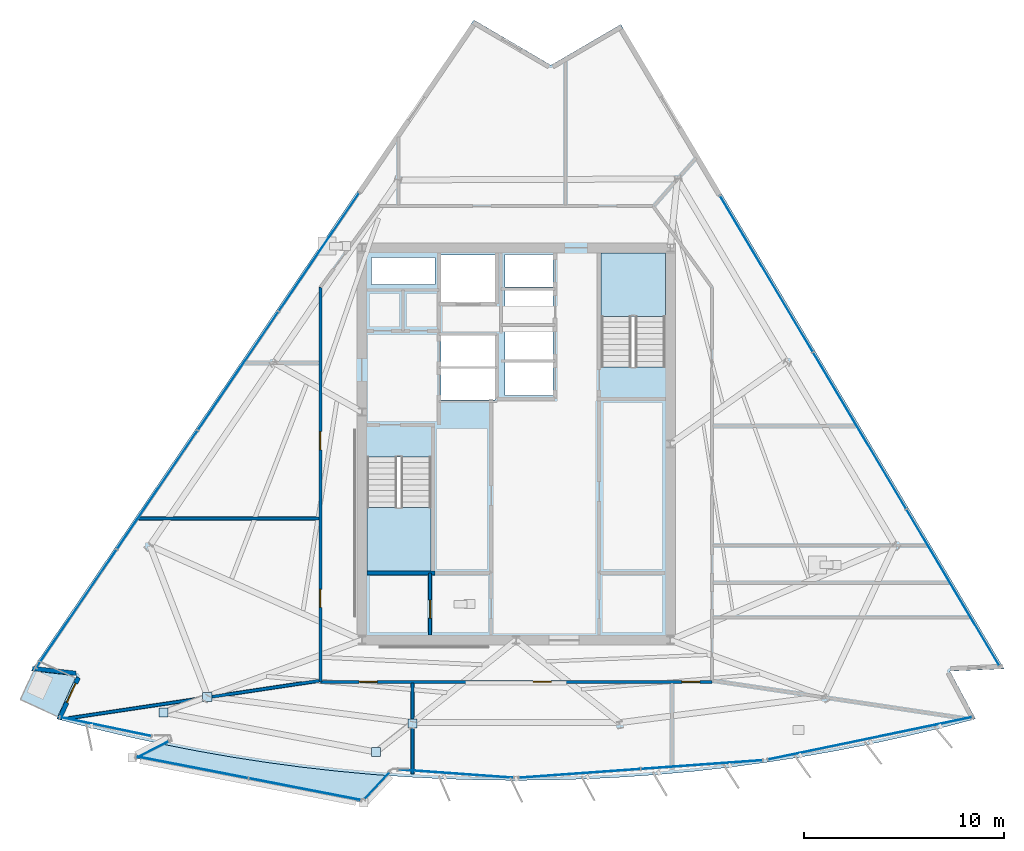
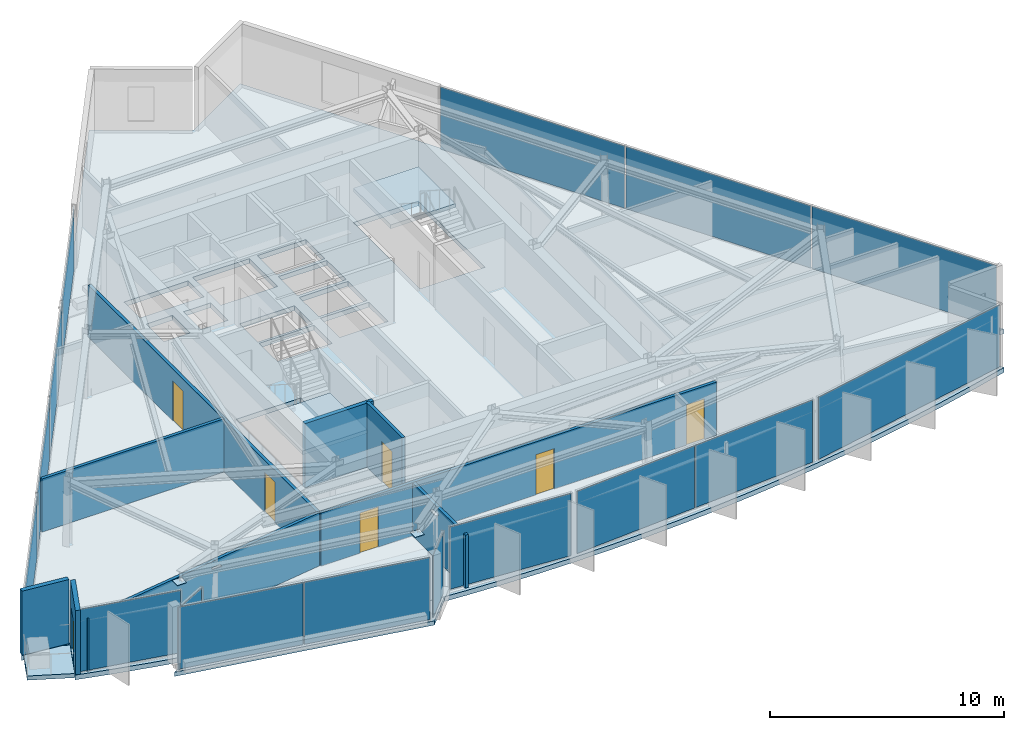
# One storey, part 6 of 13: 20 plates, 9 walls, 7 doors, 5 slabs, 7 openings, 11 elements without a shape of their own.
"""IFC4 building model written with IfcOpenShell, lengths in metres."""

import ifcopenshell
import ifcopenshell.guid

model = None  # the IFC model being written
_history = None  # IfcOwnerHistory: only IFC2X3 demands one
_inside = {}  # id of a spatial element -> (the spatial element, [elements in it])
_under = {}  # id of a project, library or spatial element -> (it, [spatial elements below it])
_declared = {}  # id of a project -> (the project, [libraries it declares])
_typed = {}  # id of a type object -> (the type object, [elements of that type])
_made_of = {}  # id of a material, layer set ... -> (it, [elements and type objects made of it])


def new_model(schema):
    """Start an empty IFC model of exactly this schema.

    Asked for "IFC4X3", IfcOpenShell would pick the latest addendum, in which some entities
    have other attributes; the version numbers below select the first issue.
    IFC2X3 requires an IfcOwnerHistory on every rooted entity: one is made here for all.
    """
    global model, _history
    if schema == "IFC4X3":
        model = ifcopenshell.file(schema_version=(4, 3, 0, 0))
    else:
        model = ifcopenshell.file(schema=schema)
    _inside.clear()
    _under.clear()
    _declared.clear()
    _typed.clear()
    _made_of.clear()
    _history = None
    if model.schema == "IFC2X3":
        org = make("IfcOrganization", Name="unknown")
        user = make(
            "IfcPersonAndOrganization",
            ThePerson=make("IfcPerson", FamilyName="unknown"),
            TheOrganization=org,
        )
        app = make(
            "IfcApplication",
            ApplicationDeveloper=org,
            Version="unknown",
            ApplicationFullName="unknown",
            ApplicationIdentifier="unknown",
        )
        _history = make(
            "IfcOwnerHistory",
            OwningUser=user,
            OwningApplication=app,
            ChangeAction="ADDED",
            CreationDate=0,
        )
    return model


def make(cls, **values):
    """One entity of the class cls with the attributes given. An attribute that is None is left unset."""
    return model.create_entity(
        cls, **{name: value for name, value in values.items() if value is not None}
    )


def rooted(cls, **values):
    """An entity with a GlobalId (a new one), such as an element, a storey or a relation."""
    return make(cls, GlobalId=ifcopenshell.guid.new(), OwnerHistory=_history, **values)


def si_unit(unit_type, name, prefix=None):
    """IfcSIUnit, for example si_unit("LENGTHUNIT", "METRE", prefix="MILLI")."""
    return make("IfcSIUnit", UnitType=unit_type, Prefix=prefix, Name=name)


def assignment(units):
    """IfcUnitAssignment: the units of a project."""
    return None if units is None else make("IfcUnitAssignment", Units=units)


def point(xyz):
    """IfcCartesianPoint."""
    return None if xyz is None else make("IfcCartesianPoint", Coordinates=xyz)


def direction(xyz):
    """IfcDirection."""
    return None if xyz is None else make("IfcDirection", DirectionRatios=xyz)


def frame(location, z_axis=None, x_axis=None):
    """IfcAxis2Placement3D, a coordinate frame: its origin and axes. An axis left out is left unset."""
    return make(
        "IfcAxis2Placement3D",
        Location=point(location),
        Axis=direction(z_axis),
        RefDirection=direction(x_axis),
    )


def frame_2d(location, x_axis=None):
    """IfcAxis2Placement2D, a coordinate frame in the plane: its origin and x axis."""
    return make(
        "IfcAxis2Placement2D", Location=point(location), RefDirection=direction(x_axis)
    )


def origin():
    """The frame at (0, 0, 0) with its axes left unset."""
    return frame((0.0, 0.0, 0.0))


def origin_2d():
    """The frame at (0, 0) in the plane with its x axis left unset."""
    return frame_2d((0.0, 0.0))


def place(relative_to, where):
    """IfcLocalPlacement: puts the frame where relative to a parent placement (None: the world)."""
    return make(
        "IfcLocalPlacement", PlacementRelTo=relative_to, RelativePlacement=where
    )


def context(
    kind, dimensions, precision=None, world=None, true_north=None, identifier=None
):
    """IfcGeometricRepresentationContext, for example the 3D "Model" context."""
    return make(
        "IfcGeometricRepresentationContext",
        ContextIdentifier=identifier,
        ContextType=kind,
        CoordinateSpaceDimension=dimensions,
        Precision=precision,
        WorldCoordinateSystem=world,
        TrueNorth=true_north,
    )


def subcontext(parent, identifier, kind, view, scale=None):
    """IfcGeometricRepresentationSubContext, for example "Body" below "Model"."""
    return make(
        "IfcGeometricRepresentationSubContext",
        ContextIdentifier=identifier,
        ContextType=kind,
        ParentContext=parent,
        TargetScale=scale,
        TargetView=view,
    )


def project(units=None, contexts=None):
    """IfcProject with its units and contexts."""
    return rooted(
        "IfcProject",
        Name="project",
        RepresentationContexts=contexts,
        UnitsInContext=assignment(units),
    )


def spatial(cls, under=None, at=None, **own):
    """A site, building, storey or space (cls), placed at a placement, below another one or the project."""
    s = rooted(cls, ObjectPlacement=at, **own)
    if under is not None:
        _under.setdefault(under.id(), (under, []))[1].append(s)
    return s


def polyline(points):
    """IfcPolyline through the points."""
    return make("IfcPolyline", Points=[point(p) for p in points])


def profile(cls, at=None, kind="AREA", **sizes):
    """A parametric profile (cls). Its sizes go by their IFC names, for example OverallWidth=200.0."""
    return make(cls, ProfileType=kind, Position=at, **sizes)


def rectangle(**sizes):
    """IfcRectangleProfileDef."""
    return profile("IfcRectangleProfileDef", **sizes)


def outline(outer, holes=None, kind="AREA"):
    """IfcArbitraryClosedProfileDef: a profile drawn as a closed curve; with holes, ...WithVoids."""
    if holes is None:
        return make("IfcArbitraryClosedProfileDef", ProfileType=kind, OuterCurve=outer)
    return make(
        "IfcArbitraryProfileDefWithVoids",
        ProfileType=kind,
        OuterCurve=outer,
        InnerCurves=holes,
    )


def extrude(swept, where, along, depth):
    """IfcExtrudedAreaSolid: the profile swept, set in the frame where, extruded along a direction by depth."""
    return make(
        "IfcExtrudedAreaSolid",
        SweptArea=swept,
        Position=where,
        ExtrudedDirection=direction(along),
        Depth=depth,
    )


def shape(context_of_items, identifier, shape_type, items):
    """IfcShapeRepresentation: the items that make up one representation, for example the "Body"."""
    return make(
        "IfcShapeRepresentation",
        ContextOfItems=context_of_items,
        RepresentationIdentifier=identifier,
        RepresentationType=shape_type,
        Items=items,
    )


def material(Name=None, Category=None):
    """IfcMaterial."""
    return make("IfcMaterial", Name=Name, Category=Category)


def layer(
    of_material, thickness, ventilated=None, Name=None, Category=None, Priority=None
):
    """IfcMaterialLayer: one layer of a wall or slab, of a material (None: an air gap)."""
    return make(
        "IfcMaterialLayer",
        Material=of_material,
        LayerThickness=thickness,
        IsVentilated=ventilated,
        Name=Name,
        Category=Category,
        Priority=Priority,
    )


def layer_set(layers, Name=None):
    """IfcMaterialLayerSet."""
    return make("IfcMaterialLayerSet", MaterialLayers=layers, LayerSetName=Name)


def made_of(thing, what):
    """Note that an element or type object is made of a material, layer set ...; save() writes the relation."""
    if what is not None:
        _made_of.setdefault(what.id(), (what, []))[1].append(thing)
    return thing


def type_object(cls, material=None, **own):
    """A type object (cls), such as IfcWallType, which elements share."""
    return made_of(rooted(cls, **own), material)


def element(
    cls,
    number,
    at=None,
    inside=None,
    cuts=None,
    type_object=None,
    material=None,
    context=None,
    identifier="Body",
    shape_type=None,
    held_by="IfcProductDefinitionShape",
    body=None,
    shapes=None,
    **own,
):
    """One element of the class cls, such as IfcWall. Its Tag is "e" and its number.

    at: its placement. inside: the storey or other place that contains it. cuts: it is an
    opening in that element (IfcRelVoidsElement). A single representation is given by context,
    identifier, shape_type and body (its items); several are given by shapes. held_by: the class
    of the entity that holds the representations. save() writes the other relations.
    """
    e = rooted(cls, Tag="e%d" % number, ObjectPlacement=at, **own)
    if body is not None:
        shapes = [shape(context, identifier, shape_type, body)]
    if shapes is not None:
        e.Representation = make(held_by, Representations=shapes)
    if inside is not None:
        _inside.setdefault(inside.id(), (inside, []))[1].append(e)
    if cuts is not None:
        rooted(
            "IfcRelVoidsElement", RelatingBuildingElement=cuts, RelatedOpeningElement=e
        )
    if type_object is not None:
        _typed.setdefault(type_object.id(), (type_object, []))[1].append(e)
    return made_of(e, material)


def fill(opening, filler):
    """IfcRelFillsElement: the door or window that sits in an opening."""
    return rooted(
        "IfcRelFillsElement",
        RelatingOpeningElement=opening,
        RelatedBuildingElement=filler,
    )


def aggregate(whole, parts):
    """IfcRelAggregates: a whole, such as a stair, and the parts it consists of."""
    return rooted("IfcRelAggregates", RelatingObject=whole, RelatedObjects=parts)


def save(model, path):
    """Write the relations noted so far, then the file.

    IfcRelAggregates (storeys below a building ...), IfcRelContainedInSpatialStructure (elements
    in a storey), IfcRelDefinesByType, IfcRelAssociatesMaterial and IfcRelDeclares: one each for
    every whole, place, type object, material and project.
    """
    for whole, parts in _under.values():
        aggregate(whole, parts)
    for where, things in _inside.values():
        rooted(
            "IfcRelContainedInSpatialStructure",
            RelatedElements=things,
            RelatingStructure=where,
        )
    for kind, things in _typed.values():
        rooted("IfcRelDefinesByType", RelatedObjects=things, RelatingType=kind)
    for what, things in _made_of.values():
        rooted("IfcRelAssociatesMaterial", RelatedObjects=things, RelatingMaterial=what)
    for by, libraries in _declared.values():
        rooted("IfcRelDeclares", RelatingContext=by, RelatedDefinitions=libraries)
    model.write(path)


model = new_model("IFC4")

# Units and contexts
model_context = context("Model", 3, precision=1e-05, world=origin(), true_north=direction((0.0, 1.0)))
body_context = subcontext(model_context, "Body", "Model", "MODEL_VIEW")
ifc_project = project(units=[si_unit("LENGTHUNIT", "METRE"), si_unit("AREAUNIT", "SQUARE_METRE"), si_unit("VOLUMEUNIT", "CUBIC_METRE"), si_unit("PLANEANGLEUNIT", "RADIAN"), si_unit("MASSUNIT", "GRAM", prefix="KILO")], contexts=[model_context])

# Site, building, storey
site_placement = place(None, origin())
site = spatial("IfcSite", under=ifc_project, at=site_placement, CompositionType="ELEMENT")
building_placement = place(site_placement, origin())
building = spatial("IfcBuilding", under=site, at=building_placement, Name="Savorim Split Tower", CompositionType="ELEMENT")
storey_placement = place(building_placement, frame((0.0, 0.0, 272.39990234375)))
storey = spatial("IfcBuildingStorey", under=building, at=storey_placement, Name="L72", CompositionType="ELEMENT", Elevation=272.39990234375)

# Curtain wall, plate
ifc_material_1 = material(Name="Dark Ceramic-Fritted Insulated Glass", Category="glass")
curtain_wall_type_1 = type_object("IfcCurtainWallType", Name="CW-TWR-FRIT-B", PredefinedType="NOTDEFINED", material=ifc_material_1)
curtain_wall_1_placement = place(storey_placement, origin())
curtain_wall_1 = element("IfcCurtainWall", 1, at=curtain_wall_1_placement, inside=storey, type_object=curtain_wall_type_1, Name="L72 Curtain Wall CW-L72-SF1A", PredefinedType="NOTDEFINED")
ifc_layer_1 = layer(ifc_material_1, 0.02587890625)
ifc_layer_set_1 = layer_set([ifc_layer_1], Name="CWP-FRITB-26")
plate_type_1 = type_object("IfcPlateType", Name="CWP-FRITB-26", PredefinedType="CURTAIN_PANEL", material=ifc_layer_set_1)
plate_1_placement = place(storey_placement, frame((-20.5029296875, -13.717529296875, 0.050048828125), z_axis=(0.0, 0.0, 1.0), x_axis=(0.979135895435, -0.203206540915, 0.0)))
plate_1 = element("IfcPlate", 2, at=plate_1_placement, type_object=plate_type_1, Name="CW-03 panel 1.1", PredefinedType="CURTAIN_PANEL", context=body_context, shape_type="SweptSolid", body=[
    extrude(rectangle(XDim=4.623046875, YDim=0.02587890625, at=origin_2d()), origin(), (0.0, 0.0, 1.0), 3.25),
])
aggregate(curtain_wall_1, [plate_1])

curtain_wall_2_placement = place(storey_placement, origin())
curtain_wall_2 = element("IfcCurtainWall", 3, at=curtain_wall_2_placement, inside=storey, type_object=curtain_wall_type_1, Name="L72 Curtain Wall CW-L72-SF2A", PredefinedType="NOTDEFINED")
plate_2_placement = place(storey_placement, frame((-3.019287109375, -16.06640625, 0.050048828125), z_axis=(0.0, 0.0, 1.0), x_axis=(0.997435475677, -0.071571445854, 0.0)))
plate_2 = element("IfcPlate", 4, at=plate_2_placement, type_object=plate_type_1, Name="CW-03 panel 1.1", PredefinedType="CURTAIN_PANEL", context=body_context, shape_type="SweptSolid", body=[
    extrude(rectangle(XDim=5.7509765625, YDim=0.02587890625, at=origin_2d()), origin(), (0.0, 0.0, 1.0), 3.25),
])
aggregate(curtain_wall_2, [plate_2])

# Curtain wall, plates
curtain_wall_3_placement = place(storey_placement, origin())
curtain_wall_3 = element("IfcCurtainWall", 5, at=curtain_wall_3_placement, inside=storey, type_object=curtain_wall_type_1, Name="L72 Curtain Wall CW-L72-SF3A", PredefinedType="NOTDEFINED")
plate_3_placement = place(storey_placement, frame((3.17138671875, -16.055419921875, 0.050048828125), z_axis=(0.0, 0.0, 1.0), x_axis=(0.997435978432, 0.071564439004, 0.0)))
plate_3 = element("IfcPlate", 6, at=plate_3_placement, type_object=plate_type_1, Name="CW-03 panel 1.1", PredefinedType="CURTAIN_PANEL", context=body_context, shape_type="SweptSolid", body=[
    extrude(rectangle(XDim=6.05615234375, YDim=0.02587890625, at=origin_2d()), origin(), (0.0, 0.0, 1.0), 3.25),
])
plate_4_placement = place(storey_placement, frame((9.27197265625, -15.61767578125, 0.050048828125), z_axis=(0.0, 0.0, 1.0), x_axis=(0.997435978432, 0.071564439004, 0.0)))
plate_4 = element("IfcPlate", 7, at=plate_4_placement, type_object=plate_type_1, Name="CW-03 panel 2.1", PredefinedType="CURTAIN_PANEL", context=body_context, shape_type="SweptSolid", body=[
    extrude(rectangle(XDim=6.05615234375, YDim=0.02587890625, at=origin_2d()), origin(), (0.0, 0.0, 1.0), 3.25),
])
aggregate(curtain_wall_3, [plate_3, plate_4])

# Curtain wall, plate
curtain_wall_4_placement = place(storey_placement, origin())
curtain_wall_4 = element("IfcCurtainWall", 8, at=curtain_wall_4_placement, inside=storey, type_object=curtain_wall_type_1, Name="L72 Curtain Wall CW-L72-SF4A", PredefinedType="NOTDEFINED")
plate_5_placement = place(storey_placement, frame((17.679443359375, -14.303466796875, 0.050048828125), z_axis=(0.0, 0.0, 1.0), x_axis=(0.979135123364, 0.20321026105, 0.0)))
plate_5 = element("IfcPlate", 9, at=plate_5_placement, type_object=plate_type_1, Name="CW-03 panel 1.1", PredefinedType="CURTAIN_PANEL", context=body_context, shape_type="SweptSolid", body=[
    extrude(rectangle(XDim=10.390380859375, YDim=0.02587890625, at=origin_2d()), origin(), (0.0, 0.0, 1.0), 3.25),
])
aggregate(curtain_wall_4, [plate_5])

# Curtain wall, plates
curtain_wall_5_placement = place(storey_placement, origin())
curtain_wall_5 = element("IfcCurtainWall", 10, at=curtain_wall_5_placement, inside=storey, type_object=curtain_wall_type_1, Name="L72 Curtain Wall CW-L72-EAST", PredefinedType="NOTDEFINED")
plate_6_placement = place(storey_placement, frame((21.8134765625, -6.76904296875, 0.050048828125), z_axis=(0.0, 0.0, 1.0), x_axis=(-0.511090267573, 0.859527043432, 0.0)))
plate_6 = element("IfcPlate", 11, at=plate_6_placement, type_object=plate_type_1, Name="CW-03 panel 1.1", PredefinedType="CURTAIN_PANEL", context=body_context, shape_type="SweptSolid", body=[
    extrude(rectangle(XDim=9.0380859375, YDim=0.02587890625, at=origin_2d()), origin(), (0.0, 0.0, 1.0), 3.25),
])
plate_7_placement = place(storey_placement, frame((17.15576171875, 1.064208984375, 0.050048828125), z_axis=(0.0, 0.0, 1.0), x_axis=(-0.511090267573, 0.859527043432, 0.0)))
plate_7 = element("IfcPlate", 12, at=plate_7_placement, type_object=plate_type_1, Name="CW-03 panel 2.1", PredefinedType="CURTAIN_PANEL", context=body_context, shape_type="SweptSolid", body=[
    extrude(rectangle(XDim=9.068115234375, YDim=0.02587890625, at=origin_2d()), origin(), (0.0, 0.0, 1.0), 3.25),
])
plate_8_placement = place(storey_placement, frame((12.498046875, 8.897216796875, 0.050048828125), z_axis=(0.0, 0.0, 1.0), x_axis=(-0.511090267573, 0.859527043432, 0.0)))
plate_8 = element("IfcPlate", 13, at=plate_8_placement, type_object=plate_type_1, Name="CW-03 panel 3.1", PredefinedType="CURTAIN_PANEL", context=body_context, shape_type="SweptSolid", body=[
    extrude(rectangle(XDim=9.0380859375, YDim=0.02587890625, at=origin_2d()), origin(), (0.0, 0.0, 1.0), 3.25),
])
aggregate(curtain_wall_5, [plate_6, plate_7, plate_8])

curtain_wall_6_placement = place(storey_placement, origin())
curtain_wall_6 = element("IfcCurtainWall", 14, at=curtain_wall_6_placement, inside=storey, type_object=curtain_wall_type_1, Name="L72 Curtain Wall CW-L72-WEST", PredefinedType="NOTDEFINED")
plate_9_placement = place(storey_placement, frame((-9.847900390625, 9.9853515625, 0.050048828125), z_axis=(0.0, 0.0, 1.0), x_axis=(-0.562470325215, -0.826817472755, 0.0)))
plate_9 = element("IfcPlate", 15, at=plate_9_placement, type_object=plate_type_1, Name="CW-03 panel 1.1", PredefinedType="CURTAIN_PANEL", context=body_context, shape_type="SweptSolid", body=[
    extrude(rectangle(XDim=7.1015625, YDim=0.02587890625, at=origin_2d()), origin(), (0.0, 0.0, 1.0), 3.25),
])
plate_10_placement = place(storey_placement, frame((-13.884521484375, 4.0517578125, 0.050048828125), z_axis=(0.0, 0.0, 1.0), x_axis=(-0.562470325215, -0.826817472755, 0.0)))
plate_10 = element("IfcPlate", 16, at=plate_10_placement, type_object=plate_type_1, Name="CW-03 panel 2.1", PredefinedType="CURTAIN_PANEL", context=body_context, shape_type="SweptSolid", body=[
    extrude(rectangle(XDim=7.131591796875, YDim=0.02587890625, at=origin_2d()), origin(), (0.0, 0.0, 1.0), 3.25),
])
plate_11_placement = place(storey_placement, frame((-17.929443359375, -1.894287109375, 0.050048828125), z_axis=(0.0, 0.0, 1.0), x_axis=(-0.562470325215, -0.826817472755, 0.0)))
plate_11 = element("IfcPlate", 17, at=plate_11_placement, type_object=plate_type_1, Name="CW-03 panel 3.1", PredefinedType="CURTAIN_PANEL", context=body_context, shape_type="SweptSolid", body=[
    extrude(rectangle(XDim=7.131591796875, YDim=0.02587890625, at=origin_2d()), origin(), (0.0, 0.0, 1.0), 3.25),
])
plate_12_placement = place(storey_placement, frame((-21.966064453125, -7.827880859375, 0.050048828125), z_axis=(0.0, 0.0, 1.0), x_axis=(-0.562470325215, -0.826817472755, 0.0)))
plate_12 = element("IfcPlate", 18, at=plate_12_placement, type_object=plate_type_1, Name="CW-03 panel 4.1", PredefinedType="CURTAIN_PANEL", context=body_context, shape_type="SweptSolid", body=[
    extrude(rectangle(XDim=7.1015625, YDim=0.02587890625, at=origin_2d()), origin(), (0.0, 0.0, 1.0), 3.25),
])
aggregate(curtain_wall_6, [plate_9, plate_10, plate_11, plate_12])

curtain_wall_type_2 = type_object("IfcCurtainWallType", Name="CW-BAY-LOUNGE", PredefinedType="NOTDEFINED", material=ifc_material_1)
curtain_wall_7_placement = place(storey_placement, origin())
curtain_wall_7 = element("IfcCurtainWall", 19, at=curtain_wall_7_placement, inside=storey, type_object=curtain_wall_type_2, Name="L72 Curtain Wall CW-L72-BAYF", PredefinedType="NOTDEFINED")
ifc_material_2 = material(Name="Low-E Operable Double Glazing", Category="glass")
ifc_layer_2 = layer(ifc_material_2, 0.031982421875)
ifc_layer_set_2 = layer_set([ifc_layer_2], Name="CWP-POD-32")
plate_type_2 = type_object("IfcPlateType", Name="CWP-POD-32", PredefinedType="CURTAIN_PANEL", material=ifc_layer_set_2)
plate_13_placement = place(storey_placement, frame((-16.18408203125, -15.7509765625, 0.05517578125), z_axis=(0.0, 0.0, 1.0), x_axis=(0.98168331682, -0.190519987082, 0.0)))
plate_13 = element("IfcPlate", 20, at=plate_13_placement, type_object=plate_type_2, Name="CW-04 panel 1.1", PredefinedType="CURTAIN_PANEL", context=body_context, shape_type="SweptSolid", body=[
    extrude(rectangle(XDim=5.67041015625, YDim=0.031982421875, at=origin_2d()), origin(), (0.0, 0.0, 1.0), 3.239990234375),
])
plate_14_placement = place(storey_placement, frame((-10.5537109375, -16.84375, 0.05517578125), z_axis=(0.0, 0.0, 1.0), x_axis=(0.98168331682, -0.190519987082, 0.0)))
plate_14 = element("IfcPlate", 21, at=plate_14_placement, type_object=plate_type_2, Name="CW-04 panel 2.1", PredefinedType="CURTAIN_PANEL", context=body_context, shape_type="SweptSolid", body=[
    extrude(rectangle(XDim=5.67041015625, YDim=0.031982421875, at=origin_2d()), origin(), (0.0, 0.0, 1.0), 3.239990234375),
])
aggregate(curtain_wall_7, [plate_13, plate_14])

# Curtain wall, plate
curtain_wall_8_placement = place(storey_placement, origin())
curtain_wall_8 = element("IfcCurtainWall", 22, at=curtain_wall_8_placement, inside=storey, type_object=curtain_wall_type_2, Name="L72 Curtain Wall CW-L72-BAYW", PredefinedType="NOTDEFINED")
plate_15_placement = place(storey_placement, frame((-18.170166015625, -14.875, 0.05517578125), z_axis=(0.0, 0.0, 1.0), x_axis=(-0.890065809413, -0.455832046827, 0.0)))
plate_15 = element("IfcPlate", 23, at=plate_15_placement, type_object=plate_type_2, Name="CW-04 panel 1.1", PredefinedType="CURTAIN_PANEL", context=body_context, shape_type="SweptSolid", body=[
    extrude(rectangle(XDim=1.81005859375, YDim=0.031982421875, at=origin_2d()), origin(), (0.0, 0.0, 1.0), 3.239990234375),
])
aggregate(curtain_wall_8, [plate_15])

curtain_wall_9_placement = place(storey_placement, origin())
curtain_wall_9 = element("IfcCurtainWall", 24, at=curtain_wall_9_placement, inside=storey, type_object=curtain_wall_type_2, Name="L72 Curtain Wall CW-L72-BAYE", PredefinedType="NOTDEFINED")
plate_16_placement = place(storey_placement, frame((-6.948974609375, -16.668212890625, 0.05517578125), z_axis=(0.0, 0.0, 1.0), x_axis=(0.6838502497, 0.729622392738, 0.0)))
plate_16 = element("IfcPlate", 25, at=plate_16_placement, type_object=plate_type_2, Name="CW-04 panel 1.1", PredefinedType="CURTAIN_PANEL", context=body_context, shape_type="SweptSolid", body=[
    extrude(rectangle(XDim=1.81005859375, YDim=0.031982421875, at=origin_2d()), origin(), (0.0, 0.0, 1.0), 3.239990234375),
])
aggregate(curtain_wall_9, [plate_16])

# Plates
ifc_material_3 = material(Name="Steel S460", Category="steel")
ifc_layer_3 = layer(ifc_material_3, 0.02490234375)
ifc_layer_set_3 = layer_set([ifc_layer_3], Name="PLT-NODE-CN1")
plate_type_3 = type_object("IfcPlateType", Name="PLT-NODE-CN1", PredefinedType="SHEET", material=ifc_layer_set_3)
for number, where, z_axis, x_axis, name in (
    (26, (-15.43310546875, -12.244873046875, 2.437744140625), (0.0, 0.0, 1.0), (1.0, 0.0, 0.0), "L72 Bay Strut Column Gusset Plate 1"),
    (27, (-17.61767578125, -13.010498046875, 2.8076171875), (0.0, 0.0, 1.0), (1.0, 0.0, 0.0), "L72 Bay Strut Tip Gusset Plate 1"),
    (28, (-5.17236328125, -13.562255859375, 2.437744140625), (0.0, 0.0, 1.0), (1.0, 0.0, 0.0), "L72 Bay Strut Column Gusset Plate 2"),
    (29, (-7.001220703125, -14.98779296875, 2.8076171875), (0.0, 0.0, 1.0), (1.0, 0.0, 0.0), "L72 Bay Strut Tip Gusset Plate 2"),
):
    element("IfcPlate", number, at=place(storey_placement, frame(where, z_axis=z_axis, x_axis=x_axis)), inside=storey, type_object=plate_type_3, Name=name, PredefinedType="SHEET", context=body_context, shape_type="SweptSolid", body=[
        extrude(rectangle(XDim=0.4599609375, YDim=0.4599609375, at=origin_2d()), origin(), (0.0, 0.0, 1.0), 0.02490234375),
    ])

# Slabs
ifc_material_4 = material(Name="Concrete C50/60", Category="concrete")
ifc_layer_4 = layer(ifc_material_4, 0.219970703125)
ifc_layer_set_4 = layer_set([ifc_layer_4], Name="SLB-BAL-220")
slab_type_1 = type_object("IfcSlabType", Name="SLB-BAL-220", PredefinedType="FLOOR", material=ifc_layer_set_4)
slab_1_placement = place(storey_placement, frame((0.0, 0.0, -0.219970703125)))
element("IfcSlab", 30, at=slab_1_placement, inside=storey, type_object=slab_type_1, Name="L72 Cantilevered Shared Kitchen Lounge Slab", PredefinedType="FLOOR", context=body_context, shape_type="SweptSolid", body=[
    extrude(outline(polyline([(-6.343017578125, -16.16796875), (-7.13671875, -16.111083984375), (-8.915283203125, -15.94677734375), (-10.690185546875, -15.74609375), (-12.46044921875, -15.50927734375), (-14.2255859375, -15.236083984375), (-15.984619140625, -14.927001953125), (-17.7373046875, -14.58203125), (-17.79345703125, -14.569580078125), (-19.16796875, -15.273681640625), (-7.60791015625, -17.517333984375), (-6.343017578125, -16.16796875)])), origin(), (0.0, 0.0, 1.0), 0.219970703125),
])
slab_2_placement = place(storey_placement, frame((0.0, 0.0, -0.219970703125)))
element("IfcSlab", 31, at=slab_2_placement, inside=storey, type_object=slab_type_1, Name="L72 Notched Corner Planted Tree Balcony Slab", PredefinedType="FLOOR", context=body_context, shape_type="SweptSolid", body=[
    extrude(outline(polyline([(-22.901611328125, -13.2216796875), (-22.0126953125, -11.287109375), (-22.3232421875, -11.14453125), (-24.106201171875, -10.9453125), (-24.760009765625, -12.367919921875), (-22.901611328125, -13.2216796875)])), origin(), (0.0, 0.0, 1.0), 0.219970703125),
])

# Stair, slab
stair_type = type_object("IfcStairType", Name="STR-DOG-3600", PredefinedType="HALF_TURN_STAIR", material=ifc_material_4)
stair_1_placement = place(storey_placement, origin())
stair_1 = element("IfcStair", 32, at=stair_1_placement, inside=storey, type_object=stair_type, Name="L72 Core Protected Exit Stair ST-1", PredefinedType="HALF_TURN_STAIR")
ifc_layer_5 = layer(ifc_material_4, 0.199951171875)
ifc_layer_set_5 = layer_set([ifc_layer_5], Name="SLB-LND-200")
slab_type_2 = type_object("IfcSlabType", Name="SLB-LND-200", PredefinedType="LANDING", material=ifc_layer_set_5)
slab_3_placement = place(storey_placement, frame((0.0, 0.0, 1.60009765625)))
slab_3 = element("IfcSlab", 33, at=slab_3_placement, type_object=slab_type_2, Name="ST-1 landing 1", PredefinedType="LANDING", context=body_context, shape_type="SweptSolid", body=[
    extrude(outline(polyline([(-7.449951171875, -2.77001953125), (-7.449951171875, -5.949951171875), (-4.25, -5.949951171875), (-4.25, -2.77001953125), (-7.449951171875, -2.77001953125)])), origin(), (0.0, 0.0, 1.0), 0.199951171875),
])
aggregate(stair_1, [slab_3])

stair_2_placement = place(storey_placement, origin())
stair_2 = element("IfcStair", 34, at=stair_2_placement, inside=storey, type_object=stair_type, Name="L72 Core Protected Exit Stair ST-2", PredefinedType="HALF_TURN_STAIR")
slab_4_placement = place(storey_placement, frame((0.0, 0.0, 1.60009765625)))
slab_4 = element("IfcSlab", 35, at=slab_4_placement, type_object=slab_type_2, Name="ST-2 landing 1", PredefinedType="LANDING", context=body_context, shape_type="SweptSolid", body=[
    extrude(outline(polyline([(7.449951171875, 6.77001953125), (7.449951171875, 9.949951171875), (4.25, 9.949951171875), (4.25, 6.77001953125), (7.449951171875, 6.77001953125)])), origin(), (0.0, 0.0, 1.0), 0.199951171875),
])
aggregate(stair_2, [slab_4])

# Slab
ifc_layer_6 = layer(ifc_material_4, 0.25)
ifc_layer_set_6 = layer_set([ifc_layer_6], Name="SLB-TWR-250")
slab_type_3 = type_object("IfcSlabType", Name="SLB-TWR-250", PredefinedType="FLOOR", material=ifc_layer_set_6)
slab_5_placement = place(storey_placement, frame((0.0, 0.0, -0.25)))
element("IfcSlab", 36, at=slab_5_placement, inside=storey, type_object=slab_type_3, Name="L72 Structural Floor Slab", PredefinedType="FLOOR", context=body_context, shape_type="SweptSolid", body=[
    extrude(outline(polyline([(-22.947265625, -13.332763671875), (-21.21923828125, -13.78466796875), (-19.482421875, -14.201171875), (-17.7373046875, -14.58203125), (-15.984619140625, -14.927001953125), (-14.2255859375, -15.236083984375), (-12.46044921875, -15.50927734375), (-10.690185546875, -15.74609375), (-8.915283203125, -15.94677734375), (-7.13671875, -16.111083984375), (-5.35498046875, -16.23876953125), (-3.5712890625, -16.330078125), (-1.785888671875, -16.385009765625), (0.0, -16.4033203125), (1.785888671875, -16.385009765625), (3.5712890625, -16.330078125), (5.35498046875, -16.23876953125), (7.13671875, -16.111083984375), (8.915283203125, -15.94677734375), (10.690185546875, -15.74609375), (12.46044921875, -15.50927734375), (14.2255859375, -15.236083984375), (15.984619140625, -14.927001953125), (17.7373046875, -14.58203125), (19.482421875, -14.201171875), (21.21923828125, -13.78466796875), (22.947265625, -13.332763671875), (21.667236328125, -10.947509765625), (24.369384765625, -10.83251953125), (5.23095703125, 21.353515625), (1.7373046875, 19.317138671875), (-2.107666015625, 21.576904296875), (-24.219970703125, -10.927734375), (-21.958251953125, -11.180419921875), (-22.947265625, -13.332763671875)]), holes=[polyline([(-7.449951171875, -0.25390625), (-7.449951171875, -5.949951171875), (-4.25, -5.949951171875), (-4.25, -0.25390625), (-7.449951171875, -0.25390625)]), polyline([(7.449951171875, 4.25390625), (7.449951171875, 9.949951171875), (4.25, 9.949951171875), (4.25, 4.25390625), (7.449951171875, 4.25390625)]), polyline([(-0.550048828125, 2.830078125), (1.85009765625, 2.830078125), (1.85009765625, 4.469970703125), (-0.550048828125, 4.469970703125), (-0.550048828125, 2.830078125)]), polyline([(-0.550048828125, 4.6298828125), (1.85009765625, 4.6298828125), (1.85009765625, 6.27001953125), (-0.550048828125, 6.27001953125), (-0.550048828125, 4.6298828125)]), polyline([(-0.550048828125, 6.429931640625), (1.85009765625, 6.429931640625), (1.85009765625, 8.070068359375), (-0.550048828125, 8.070068359375), (-0.550048828125, 6.429931640625)]), polyline([(-0.550048828125, 8.22998046875), (1.85009765625, 8.22998046875), (1.85009765625, 9.8701171875), (-0.550048828125, 9.8701171875), (-0.550048828125, 8.22998046875)]), polyline([(-3.75, 2.60009765625), (-1.050048828125, 2.60009765625), (-1.050048828125, 4.159912109375), (-3.75, 4.159912109375), (-3.75, 2.60009765625)]), polyline([(-3.75, 4.280029296875), (-1.050048828125, 4.280029296875), (-1.050048828125, 5.840087890625), (-3.75, 5.840087890625), (-3.75, 4.280029296875)]), polyline([(-3.75, 7.449951171875), (-0.949951171875, 7.449951171875), (-0.949951171875, 9.85009765625), (-3.75, 9.85009765625), (-3.75, 7.449951171875)]), polyline([(-7.219970703125, 6.320068359375), (-5.919921875, 6.320068359375), (-5.919921875, 7.820068359375), (-7.219970703125, 7.820068359375), (-7.219970703125, 6.320068359375)]), polyline([(-5.3798828125, 6.320068359375), (-4.050048828125, 6.320068359375), (-4.050048828125, 7.820068359375), (-5.3798828125, 7.820068359375), (-5.3798828125, 6.320068359375)]), polyline([(-7.219970703125, 8.360107421875), (-4.050048828125, 8.360107421875), (-4.050048828125, 9.719970703125), (-7.219970703125, 9.719970703125), (-7.219970703125, 8.360107421875)])]), origin(), (0.0, 0.0, 1.0), 0.25),
])

# Wall
ifc_material_5 = material(Name="Precast concrete C40/50", Category="concrete")
ifc_layer_7 = layer(ifc_material_5, 0.219970703125)
ifc_layer_set_7 = layer_set([ifc_layer_7], Name="WAL-EXT-CRN220")
wall_type_1 = type_object("IfcWallType", Name="WAL-EXT-CRN220", PredefinedType="SOLIDWALL", material=ifc_layer_set_7)
wall_1_placement = place(storey_placement, frame((-21.984619140625, -11.056640625, 0.0), z_axis=(0.0, 0.0, 1.0), x_axis=(-0.993823926228, 0.110968480463, 0.0)))
element("IfcWall", 37, at=wall_1_placement, inside=storey, type_object=wall_type_1, Name="L72 Notched Corner Facade Wall SW1", PredefinedType="SOLIDWALL", context=body_context, shape_type="SweptSolid", body=[
    extrude(rectangle(XDim=2.19580078125, YDim=0.219970703125, at=frame_2d((1.097900390625, 0.0))), origin(), (0.0, 0.0, 1.0), 3.35009765625),
])

# Wall, opening, door
wall_2_placement = place(storey_placement, frame((-22.821533203125, -13.3466796875, 0.0), z_axis=(0.0, 0.0, 1.0), x_axis=(0.417447808253, 0.908700900949, 0.0)))
wall_2 = element("IfcWall", 38, at=wall_2_placement, inside=storey, type_object=wall_type_1, Name="L72 Notched Corner Facade Wall SW", PredefinedType="SOLIDWALL", context=body_context, shape_type="SweptSolid", body=[
    extrude(rectangle(XDim=2.2890625, YDim=0.219970703125, at=frame_2d((1.14453125, 0.0))), origin(), (0.0, 0.0, 1.0), 3.35009765625),
])
opening_1_placement = place(wall_2_placement, frame((0.91943359375, 0.0, 0.0)))
opening_1 = element("IfcOpeningElement", 39, at=opening_1_placement, cuts=wall_2, Name="Opening DB-01", PredefinedType="OPENING", context=body_context, shape_type="SweptSolid", body=[
    extrude(rectangle(XDim=1.050048828125, YDim=2.14990234375, at=frame_2d((0.52490234375, 1.074951171875))), frame((0.0, 0.119873046875, 0.0), z_axis=(0.0, -1.0, 0.0), x_axis=(1.0, 0.0, 0.0)), (0.0, 0.0, 1.0), 0.239990234375),
])
ifc_material_6 = material(Name="Charcoal Anodised Aluminium", Category="aluminium")
door_type_1 = type_object("IfcDoorType", Name="DOR-BAL-1050", OperationType="NOTDEFINED", PredefinedType="DOOR", material=ifc_material_6)
door_1_placement = place(opening_1_placement, origin())
door_1 = element("IfcDoor", 40, at=door_1_placement, inside=storey, type_object=door_type_1, Name="DOR-L72-TBAL-SW - L72 Planted Tree Balcony Door SW", OperationType="SINGLE_SWING_LEFT", OverallHeight=2.14990234375, OverallWidth=1.050048828125, PredefinedType="DOOR", context=body_context, shape_type="SweptSolid", body=[
    extrude(rectangle(XDim=1.050048828125, YDim=2.14990234375, at=frame_2d((0.52490234375, 1.074951171875))), frame((0.0, 0.02490234375, 0.0), z_axis=(0.0, -1.0, 0.0), x_axis=(1.0, 0.0, 0.0)), (0.0, 0.0, 1.0), 0.050048828125),
])
fill(opening_1, door_1)

# Wall
ifc_layer_8 = layer(ifc_material_4, 0.199951171875)
ifc_layer_set_8 = layer_set([ifc_layer_8], Name="WAL-INT-RC200")
wall_type_2 = type_object("IfcWallType", Name="WAL-INT-RC200", PredefinedType="SOLIDWALL", material=ifc_layer_set_8)
wall_3_placement = place(storey_placement, frame((-7.449951171875, -6.050048828125, 0.0), z_axis=(0.0, 0.0, 1.0), x_axis=(1.0, 0.0, 0.0)))
element("IfcWall", 41, at=wall_3_placement, inside=storey, type_object=wall_type_2, Name="L72 Structural Shaft Wall W-L72-KSEP-W", PredefinedType="SOLIDWALL", context=body_context, shape_type="SweptSolid", body=[
    extrude(rectangle(XDim=3.39990234375, YDim=0.199951171875, at=frame_2d((1.699951171875, 0.0))), origin(), (0.0, 0.0, 1.0), 3.35009765625),
])

# Wall, opening, door
ifc_material_7 = material(Name="Acoustic Gypsum Partition Board")
ifc_layer_9 = layer(ifc_material_7, 0.14990234375)
ifc_layer_set_9 = layer_set([ifc_layer_9], Name="WAL-PAR-150")
wall_type_3 = type_object("IfcWallType", Name="WAL-PAR-150", PredefinedType="PARTITIONING", material=ifc_layer_set_9)
wall_4_placement = place(storey_placement, frame((-4.300048828125, -9.14501953125, 0.0), z_axis=(0.0, 0.0, 1.0), x_axis=(0.0, 1.0, 0.0)))
wall_4 = element("IfcWall", 42, at=wall_4_placement, inside=storey, type_object=wall_type_3, Name="L72 Partition W-L72-K1W", PredefinedType="PARTITIONING", context=body_context, shape_type="SweptSolid", body=[
    extrude(rectangle(XDim=3.094970703125, YDim=0.14990234375, at=frame_2d((1.54736328125, 0.0))), origin(), (0.0, 0.0, 1.0), 3.35009765625),
])
opening_2_placement = place(wall_4_placement, frame((0.844970703125, 0.0, 0.0)))
opening_2 = element("IfcOpeningElement", 43, at=opening_2_placement, cuts=wall_4, Name="Opening DI-06", PredefinedType="OPENING", context=body_context, shape_type="SweptSolid", body=[
    extrude(rectangle(XDim=0.89990234375, YDim=2.10009765625, at=frame_2d((0.449951171875, 1.050048828125))), frame((0.0, 0.0849609375, 0.0), z_axis=(0.0, -1.0, 0.0), x_axis=(1.0, 0.0, 0.0)), (0.0, 0.0, 1.0), 0.169921875),
])
ifc_material_8 = material(Name="Timber Fire Door Leaf", Category="wood")
door_type_2 = type_object("IfcDoorType", Name="DOR-FIR-900", OperationType="NOTDEFINED", PredefinedType="DOOR", material=ifc_material_8)
door_2_placement = place(opening_2_placement, origin())
door_2 = element("IfcDoor", 44, at=door_2_placement, inside=storey, type_object=door_type_2, Name="DR-L72-K1HK - L72 Housekeeping Store Door", OperationType="SINGLE_SWING_RIGHT", OverallHeight=2.10009765625, OverallWidth=0.89990234375, PredefinedType="DOOR", context=body_context, shape_type="SweptSolid", body=[
    extrude(rectangle(XDim=0.89990234375, YDim=2.10009765625, at=frame_2d((0.449951171875, 1.050048828125))), frame((0.0, 0.02490234375, 0.0), z_axis=(0.0, -1.0, 0.0), x_axis=(1.0, 0.0, 0.0)), (0.0, 0.0, 1.0), 0.050048828125),
])
fill(opening_2, door_2)

# Wall, openings, doors
wall_5_placement = place(storey_placement, frame((-9.780029296875, -11.47998046875, 0.0), z_axis=(0.0, 0.0, 1.0), x_axis=(0.0, 1.0, 0.0)))
wall_5 = element("IfcWall", 45, at=wall_5_placement, inside=storey, type_object=wall_type_3, Name="L72 Partition W-L72-COR-01", PredefinedType="PARTITIONING", context=body_context, shape_type="SweptSolid", body=[
    extrude(rectangle(XDim=19.705810546875, YDim=0.14990234375, at=frame_2d((9.85302734375, 0.0))), origin(), (0.0, 0.0, 1.0), 2.72509765625),
])
opening_3_placement = place(wall_5_placement, frame((11.590087890625, 0.0, 0.0)))
opening_3 = element("IfcOpeningElement", 46, at=opening_3_placement, cuts=wall_5, Name="Opening DI-06", PredefinedType="OPENING", context=body_context, shape_type="SweptSolid", body=[
    extrude(rectangle(XDim=0.89990234375, YDim=2.10009765625, at=frame_2d((0.449951171875, 1.050048828125))), frame((0.0, 0.0849609375, 0.0), z_axis=(0.0, -1.0, 0.0), x_axis=(1.0, 0.0, 0.0)), (0.0, 0.0, 1.0), 0.169921875),
])
opening_4_placement = place(wall_5_placement, frame((3.720703125, 0.0, 0.0)))
opening_4 = element("IfcOpeningElement", 47, at=opening_4_placement, cuts=wall_5, Name="Opening DI-06", PredefinedType="OPENING", context=body_context, shape_type="SweptSolid", body=[
    extrude(rectangle(XDim=0.89990234375, YDim=2.10009765625, at=frame_2d((0.449951171875, 1.050048828125))), frame((0.0, 0.0849609375, 0.0), z_axis=(0.0, -1.0, 0.0), x_axis=(1.0, 0.0, 0.0)), (0.0, 0.0, 1.0), 0.169921875),
])
door_3_placement = place(opening_3_placement, origin())
door_3 = element("IfcDoor", 48, at=door_3_placement, inside=storey, type_object=door_type_2, Name="DR-L72-RM01 - L72 Quiet Study Room Entry Door", OperationType="SINGLE_SWING_RIGHT", OverallHeight=2.10009765625, OverallWidth=0.89990234375, PredefinedType="DOOR", context=body_context, shape_type="SweptSolid", body=[
    extrude(rectangle(XDim=0.89990234375, YDim=2.10009765625, at=frame_2d((0.449951171875, 1.050048828125))), frame((0.0, 0.02490234375, 0.0), z_axis=(0.0, -1.0, 0.0), x_axis=(1.0, 0.0, 0.0)), (0.0, 0.0, 1.0), 0.050048828125),
])
fill(opening_3, door_3)
door_4_placement = place(opening_4_placement, origin())
door_4 = element("IfcDoor", 49, at=door_4_placement, inside=storey, type_object=door_type_2, Name="DR-L72-RM02 - L72 Co-Working Commons Entry Door", OperationType="SINGLE_SWING_LEFT", OverallHeight=2.10009765625, OverallWidth=0.89990234375, PredefinedType="DOOR", context=body_context, shape_type="SweptSolid", body=[
    extrude(rectangle(XDim=0.89990234375, YDim=2.10009765625, at=frame_2d((0.449951171875, 1.050048828125))), frame((0.0, 0.02490234375, 0.0), z_axis=(0.0, -1.0, 0.0), x_axis=(1.0, 0.0, 0.0)), (0.0, 0.0, 1.0), 0.050048828125),
])
fill(opening_4, door_4)

wall_6_placement = place(storey_placement, frame((9.780029296875, -11.47998046875, 0.0), z_axis=(0.0, 0.0, 1.0), x_axis=(-1.0, 0.0, 0.0)))
wall_6 = element("IfcWall", 50, at=wall_6_placement, inside=storey, type_object=wall_type_3, Name="L72 Partition W-L72-COR-06", PredefinedType="PARTITIONING", context=body_context, shape_type="SweptSolid", body=[
    extrude(rectangle(XDim=19.56005859375, YDim=0.14990234375, at=frame_2d((9.780029296875, 0.0))), origin(), (0.0, 0.0, 1.0), 2.775146484375),
])
opening_5_placement = place(wall_6_placement, frame((16.71923828125, 0.0, 0.0)))
opening_5 = element("IfcOpeningElement", 51, at=opening_5_placement, cuts=wall_6, Name="Opening DI-06", PredefinedType="OPENING", context=body_context, shape_type="SweptSolid", body=[
    extrude(rectangle(XDim=0.89990234375, YDim=2.10009765625, at=frame_2d((0.449951171875, 1.050048828125))), frame((0.0, 0.0849609375, 0.0), z_axis=(0.0, -1.0, 0.0), x_axis=(1.0, 0.0, 0.0)), (0.0, 0.0, 1.0), 0.169921875),
])
opening_6_placement = place(wall_6_placement, frame((8.027099609375, 0.0, 0.0)))
opening_6 = element("IfcOpeningElement", 52, at=opening_6_placement, cuts=wall_6, Name="Opening DI-06", PredefinedType="OPENING", context=body_context, shape_type="SweptSolid", body=[
    extrude(rectangle(XDim=0.89990234375, YDim=2.10009765625, at=frame_2d((0.449951171875, 1.050048828125))), frame((0.0, 0.0849609375, 0.0), z_axis=(0.0, -1.0, 0.0), x_axis=(1.0, 0.0, 0.0)), (0.0, 0.0, 1.0), 0.169921875),
])
opening_7_placement = place(wall_6_placement, frame((0.59765625, 0.0, 0.0)))
opening_7 = element("IfcOpeningElement", 53, at=opening_7_placement, cuts=wall_6, Name="Opening DI-06", PredefinedType="OPENING", context=body_context, shape_type="SweptSolid", body=[
    extrude(rectangle(XDim=0.89990234375, YDim=2.10009765625, at=frame_2d((0.449951171875, 1.050048828125))), frame((0.0, 0.0849609375, 0.0), z_axis=(0.0, -1.0, 0.0), x_axis=(1.0, 0.0, 0.0)), (0.0, 0.0, 1.0), 0.169921875),
])
door_5_placement = place(opening_5_placement, origin())
door_5 = element("IfcDoor", 54, at=door_5_placement, inside=storey, type_object=door_type_2, Name="DR-L72-RM03 - L72 Communal Lounge Entry Door", OperationType="SINGLE_SWING_RIGHT", OverallHeight=2.10009765625, OverallWidth=0.89990234375, PredefinedType="DOOR", context=body_context, shape_type="SweptSolid", body=[
    extrude(rectangle(XDim=0.89990234375, YDim=2.10009765625, at=frame_2d((0.449951171875, 1.050048828125))), frame((0.0, 0.02490234375, 0.0), z_axis=(0.0, -1.0, 0.0), x_axis=(1.0, 0.0, 0.0)), (0.0, 0.0, 1.0), 0.050048828125),
])
fill(opening_5, door_5)
door_6_placement = place(opening_6_placement, origin())
door_6 = element("IfcDoor", 55, at=door_6_placement, inside=storey, type_object=door_type_2, Name="DR-L72-RM04 - L72 Quiet Study Room Entry Door", OperationType="SINGLE_SWING_LEFT", OverallHeight=2.10009765625, OverallWidth=0.89990234375, PredefinedType="DOOR", context=body_context, shape_type="SweptSolid", body=[
    extrude(rectangle(XDim=0.89990234375, YDim=2.10009765625, at=frame_2d((0.449951171875, 1.050048828125))), frame((0.0, 0.02490234375, 0.0), z_axis=(0.0, -1.0, 0.0), x_axis=(1.0, 0.0, 0.0)), (0.0, 0.0, 1.0), 0.050048828125),
])
fill(opening_6, door_6)
door_7_placement = place(opening_7_placement, origin())
door_7 = element("IfcDoor", 56, at=door_7_placement, inside=storey, type_object=door_type_2, Name="DR-L72-RM05 - L72 Shared Kitchen Entry Door", OperationType="SINGLE_SWING_RIGHT", OverallHeight=2.10009765625, OverallWidth=0.89990234375, PredefinedType="DOOR", context=body_context, shape_type="SweptSolid", body=[
    extrude(rectangle(XDim=0.89990234375, YDim=2.10009765625, at=frame_2d((0.449951171875, 1.050048828125))), frame((0.0, 0.02490234375, 0.0), z_axis=(0.0, -1.0, 0.0), x_axis=(1.0, 0.0, 0.0)), (0.0, 0.0, 1.0), 0.050048828125),
])
fill(opening_7, door_7)

# Walls
wall_7_placement = place(storey_placement, frame((-9.8369140625, -11.42724609375, 0.0), z_axis=(0.0, 0.0, 1.0), x_axis=(-0.988987677607, -0.147997883568, 0.0)))
element("IfcWall", 57, at=wall_7_placement, inside=storey, type_object=wall_type_3, Name="L72 Partition W-L72-PRAD01", PredefinedType="PARTITIONING", context=body_context, shape_type="SweptSolid", body=[
    extrude(rectangle(XDim=12.685546875, YDim=0.14990234375, at=frame_2d((6.3427734375, 0.0))), origin(), (0.0, 0.0, 1.0), 2.775146484375),
])
wall_8_placement = place(storey_placement, frame((-5.177001953125, -11.5400390625, 0.0), z_axis=(0.0, 0.0, 1.0), x_axis=(0.0, -1.0, 0.0)))
element("IfcWall", 58, at=wall_8_placement, inside=storey, type_object=wall_type_3, Name="L72 Partition W-L72-PRAD02", PredefinedType="PARTITIONING", context=body_context, shape_type="SweptSolid", body=[
    extrude(rectangle(XDim=4.53759765625, YDim=0.14990234375, at=frame_2d((2.268798828125, 0.0))), origin(), (0.0, 0.0, 1.0), 2.775146484375),
])
wall_9_placement = place(storey_placement, frame((-9.840087890625, -3.317138671875, 0.0), z_axis=(0.0, 0.0, 1.0), x_axis=(-1.0, 0.0, 0.0)))
element("IfcWall", 59, at=wall_9_placement, inside=storey, type_object=wall_type_3, Name="L72 Partition W-L72-SUB03", PredefinedType="PARTITIONING", context=body_context, shape_type="SweptSolid", body=[
    extrude(rectangle(XDim=8.996826171875, YDim=0.14990234375, at=frame_2d((4.49853515625, 0.0))), origin(), (0.0, 0.0, 1.0), 2.775146484375),
])

save(model, "model.ifc")
